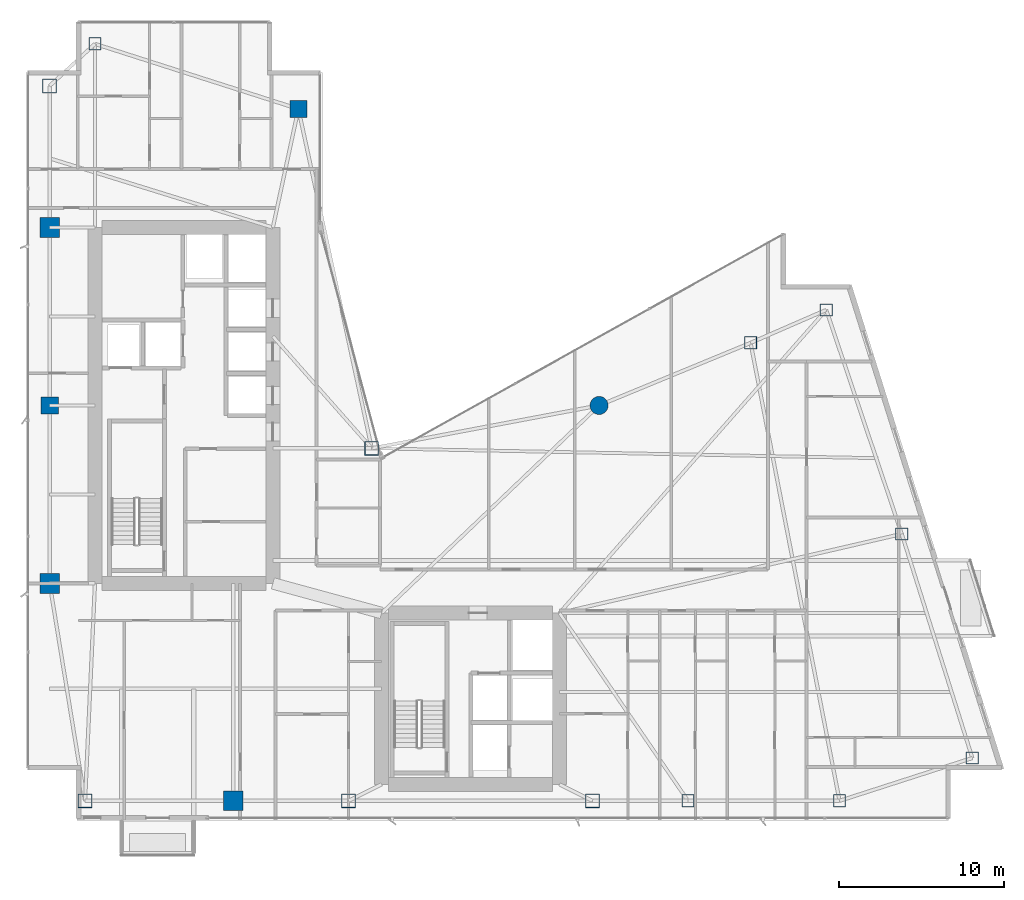
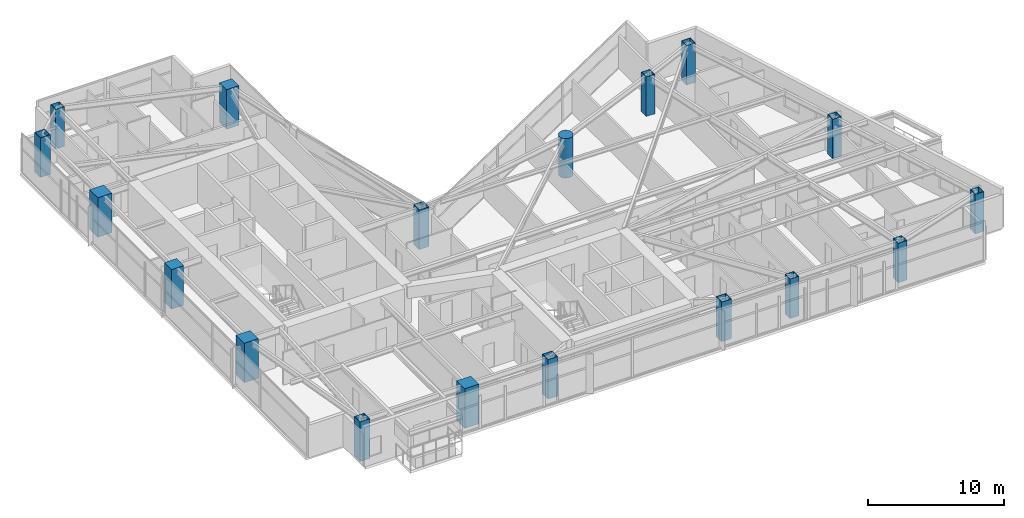
# One storey, part 1 of 29: 18 columns.
"""IFC4 building model written with IfcOpenShell, lengths in metres."""

from ifc_helpers import new_model, si_unit, direction, frame, origin, origin_2d, place, context, subcontext, project, spatial, rectangle, hollow_rectangle, circle, extrude, material, material_profile, profile_set, type_object, element, save


model = new_model("IFC4")

# Units and contexts
model_context = context("Model", 3, precision=1e-05, world=origin(), true_north=direction((0.0, 1.0)))
body_context = subcontext(model_context, "Body", "Model", "MODEL_VIEW")
ifc_project = project(units=[si_unit("LENGTHUNIT", "METRE"), si_unit("AREAUNIT", "SQUARE_METRE"), si_unit("VOLUMEUNIT", "CUBIC_METRE"), si_unit("PLANEANGLEUNIT", "RADIAN"), si_unit("MASSUNIT", "GRAM", prefix="KILO")], contexts=[model_context])

# Site, building, storey
site_placement = place(None, origin())
site = spatial("IfcSite", under=ifc_project, at=site_placement, CompositionType="ELEMENT")
building_placement = place(site_placement, origin())
building = spatial("IfcBuilding", under=site, at=building_placement, Name="Calvorn Quay Hotel", CompositionType="ELEMENT")
storey_placement = place(building_placement, frame((0.0, 0.0, 175.10009765625)))
storey = spatial("IfcBuildingStorey", under=building, at=storey_placement, Name="L43", CompositionType="ELEMENT", Elevation=175.10009765625)

# Columns
ifc_material_1 = material(Name="Concrete C50", Category="concrete")
ifc_material_profile_1 = material_profile(ifc_material_1, rectangle(XDim=1.050048828125, YDim=1.050048828125, at=origin_2d()), Name="RC1050x1050")
ifc_profile_set_1 = profile_set([ifc_material_profile_1], Name="Concrete C50")
column_type_1 = type_object("IfcColumnType", Name="COL-RC-1050", PredefinedType="COLUMN", material=ifc_profile_set_1)
for number, where, z_axis, x_axis, name in (
    (1, (1.449951171875, 27.60009765625, 0.0), (0.0, 0.0, 1.0), (1.0, 0.0, 0.0), "Column C-W3 (L43)"),
    (2, (16.550048828125, 45.60009765625, 0.0), (0.0, 0.0, 1.0), (1.0, 0.0, 0.0), "Column C-IC1 (L43)"),
):
    element("IfcColumn", number, at=place(storey_placement, frame(where, z_axis=z_axis, x_axis=x_axis)), inside=storey, type_object=column_type_1, Name=name, PredefinedType="COLUMN", context=body_context, shape_type="SweptSolid", body=[
        extrude(rectangle(XDim=1.050048828125, YDim=1.050048828125, at=origin_2d()), origin(), (0.0, 0.0, 1.0), 3.559814453125),
    ])
ifc_material_2 = material(Name="Concrete C50", Category="concrete")
ifc_material_profile_2 = material_profile(ifc_material_2, rectangle(XDim=1.199951171875, YDim=1.199951171875, at=origin_2d()), Name="RC1200x1200")
ifc_profile_set_2 = profile_set([ifc_material_profile_2], Name="Concrete C50")
column_type_2 = type_object("IfcColumnType", Name="COL-RC-1200", PredefinedType="COLUMN", material=ifc_profile_set_2)
for number, where, z_axis, x_axis, name in (
    (3, (1.449951171875, 16.800048828125, 0.0), (0.0, 0.0, 1.0), (1.0, 0.0, 0.0), "Column C-W2 (L43)"),
    (4, (1.449951171875, 38.39990234375, 0.0), (0.0, 0.0, 1.0), (1.0, 0.0, 0.0), "Column C-W4 (L43)"),
    (5, (12.60009765625, 3.60009765625, 0.0), (0.0, 0.0, 1.0), (1.0, 0.0, 0.0), "Column C-S1 (L43)"),
):
    element("IfcColumn", number, at=place(storey_placement, frame(where, z_axis=z_axis, x_axis=x_axis)), inside=storey, type_object=column_type_2, Name=name, PredefinedType="COLUMN", context=body_context, shape_type="SweptSolid", body=[
        extrude(rectangle(XDim=1.199951171875, YDim=1.199951171875, at=origin_2d()), origin(), (0.0, 0.0, 1.0), 3.559814453125),
    ])
ifc_material_3 = material(Name="Concrete C50", Category="concrete")
ifc_material_profile_3 = material_profile(ifc_material_3, circle(Radius=0.550048828125, at=origin_2d()), Name="RCD1100")
ifc_profile_set_3 = profile_set([ifc_material_profile_3], Name="Concrete C50")
column_type_3 = type_object("IfcColumnType", Name="COL-RC-D1100", PredefinedType="COLUMN", material=ifc_profile_set_3)
column_placement = place(storey_placement, frame((34.800048828125, 27.60009765625, 0.0), z_axis=(0.0, 0.0, 1.0), x_axis=(1.0, 0.0, 0.0)))
element("IfcColumn", 6, at=column_placement, inside=storey, type_object=column_type_3, Name="Column C-NC1 (L43)", PredefinedType="COLUMN", context=body_context, shape_type="SweptSolid", body=[
    extrude(circle(Radius=0.550048828125, at=origin_2d()), origin(), (0.0, 0.0, 1.0), 3.559814453125),
])
ifc_material_4 = material(Name="Steel Q390GJC", Category="steel")
ifc_material_profile_4 = material_profile(ifc_material_4, hollow_rectangle(XDim=0.85009765625, YDim=0.85009765625, WallThickness=0.035888671875, at=origin_2d()), Name="BOX850x850x36")
ifc_profile_set_4 = profile_set([ifc_material_profile_4], Name="Steel Q390GJC")
column_type_4 = type_object("IfcColumnType", Name="COL-STL-Z2", PredefinedType="COLUMN", material=ifc_profile_set_4)
for number, where, z_axis, x_axis, name in (
    (7, (3.60009765625, 3.60009765625, 0.0), (0.0, 0.0, 1.0), (1.0, 0.0, 0.0), "Column C-W1 (L43)"),
    (8, (1.449951171875, 47.0, 0.0), (0.0, 0.0, 1.0), (1.0, 0.0, 0.0), "Column C-W5 (L43)"),
    (9, (21.0, 25.0, 0.0), (0.0, 0.0, 1.0), (1.0, 0.0, 0.0), "Column C-IC2 (L43)"),
    (10, (19.60009765625, 3.60009765625, 0.0), (0.0, 0.0, 1.0), (1.0, 0.0, 0.0), "Column C-S2 (L43)"),
    (11, (34.39990234375, 3.60009765625, 0.0), (0.0, 0.0, 1.0), (1.0, 0.0, 0.0), "Column C-S3 (L43)"),
):
    element("IfcColumn", number, at=place(storey_placement, frame(where, z_axis=z_axis, x_axis=x_axis)), inside=storey, type_object=column_type_4, Name=name, PredefinedType="COLUMN", context=body_context, shape_type="SweptSolid", body=[
        extrude(hollow_rectangle(XDim=0.85009765625, YDim=0.85009765625, WallThickness=0.035888671875, at=origin_2d()), origin(), (0.0, 0.0, 1.0), 3.559814453125),
    ])
ifc_material_5 = material(Name="Steel Q390GJC", Category="steel")
ifc_material_profile_5 = material_profile(ifc_material_5, hollow_rectangle(XDim=0.75, YDim=0.75, WallThickness=0.031982421875, at=origin_2d()), Name="BOX750x750x32")
ifc_profile_set_5 = profile_set([ifc_material_profile_5], Name="Steel Q390GJC")
column_type_5 = type_object("IfcColumnType", Name="COL-STL-Z3", PredefinedType="COLUMN", material=ifc_profile_set_5)
for number, where, z_axis, x_axis, name in (
    (12, (4.199951171875, 49.550048828125, 0.0), (0.0, 0.0, 1.0), (1.0, 0.0, 0.0), "Column C-NW1 (L43)"),
    (13, (40.199951171875, 3.60009765625, 0.0), (0.0, 0.0, 1.0), (1.0, 0.0, 0.0), "Column C-S4 (L43)"),
    (14, (49.39990234375, 3.60009765625, 0.0), (0.0, 0.0, 1.0), (1.0, 0.0, 0.0), "Column C-S5 (L43)"),
    (15, (44.0, 31.39990234375, 0.0), (0.0, 0.0, 1.0), (1.0, 0.0, 0.0), "Column C-NC2 (L43)"),
    (16, (57.4609375, 6.199951171875, 0.0), (0.0, 0.0, 1.0), (1.0, 0.0, 0.0), "Column C-ET1 (L43)"),
    (17, (53.176025390625, 19.800048828125, 0.0), (0.0, 0.0, 1.0), (1.0, 0.0, 0.0), "Column C-ET2 (L43)"),
    (18, (48.591064453125, 33.39990234375, 0.0), (0.0, 0.0, 1.0), (1.0, 0.0, 0.0), "Column C-ET3 (L43)"),
):
    element("IfcColumn", number, at=place(storey_placement, frame(where, z_axis=z_axis, x_axis=x_axis)), inside=storey, type_object=column_type_5, Name=name, PredefinedType="COLUMN", context=body_context, shape_type="SweptSolid", body=[
        extrude(hollow_rectangle(XDim=0.75, YDim=0.75, WallThickness=0.031982421875, at=origin_2d()), origin(), (0.0, 0.0, 1.0), 3.559814453125),
    ])

save(model, "model.ifc")
